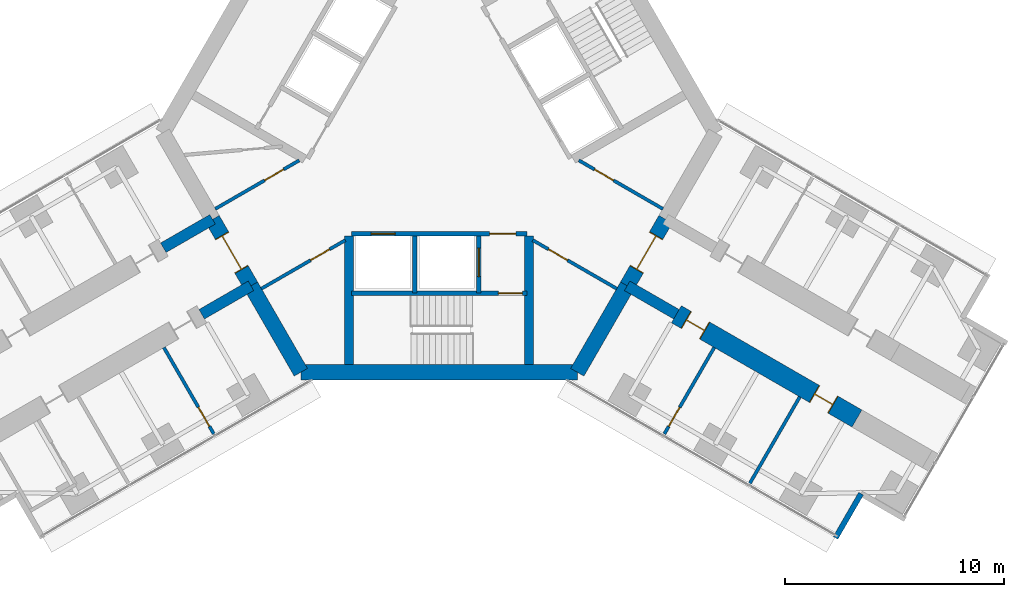
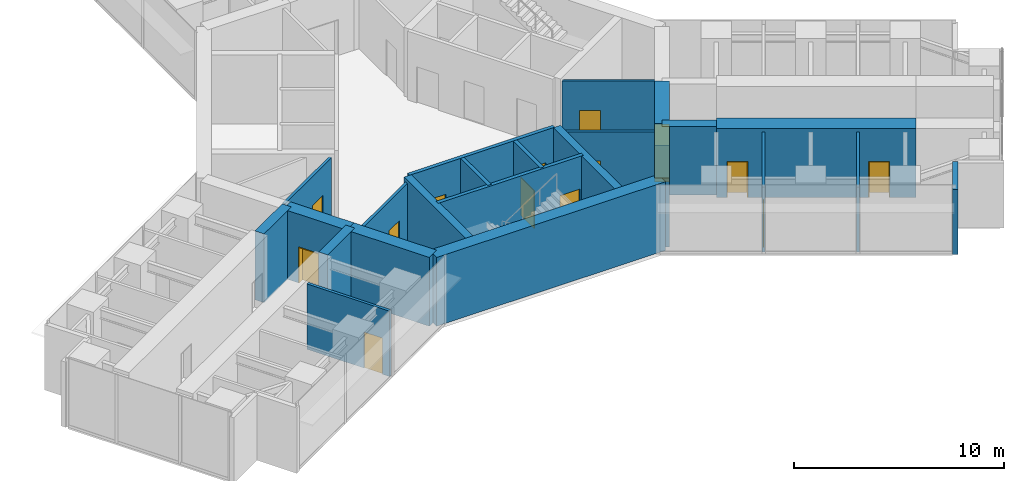
# One storey, part 20 of 24: 23 walls, 14 doors, 14 openings.
"""IFC4 building model written with IfcOpenShell, lengths in metres."""

from ifc_helpers import new_model, si_unit, direction, frame, frame_2d, origin, place, context, subcontext, project, spatial, rectangle, extrude, material, layer, layer_set, type_object, element, fill, save


model = new_model("IFC4")

# Units and contexts
model_context = context("Model", 3, precision=1e-05, world=origin(), true_north=direction((0.0, 1.0)))
body_context = subcontext(model_context, "Body", "Model", "MODEL_VIEW")
ifc_project = project(units=[si_unit("LENGTHUNIT", "METRE"), si_unit("AREAUNIT", "SQUARE_METRE"), si_unit("VOLUMEUNIT", "CUBIC_METRE"), si_unit("PLANEANGLEUNIT", "RADIAN"), si_unit("MASSUNIT", "GRAM", prefix="KILO")], contexts=[model_context])

# Site, building, storey
site_placement = place(None, origin())
site = spatial("IfcSite", under=ifc_project, at=site_placement, CompositionType="ELEMENT")
building_placement = place(site_placement, origin())
building = spatial("IfcBuilding", under=site, at=building_placement, Name="Upepo Twin Towers", CompositionType="ELEMENT")
storey_placement = place(building_placement, frame((0.0, 0.0, 60.5)))
storey = spatial("IfcBuildingStorey", under=building, at=storey_placement, Name="L14", CompositionType="ELEMENT", Elevation=60.5)

# Walls
ifc_material_1 = material(Name="Concrete C60/75", Category="concrete")
ifc_layer_1 = layer(ifc_material_1, 0.5)
ifc_layer_set_1 = layer_set([ifc_layer_1], Name="Concrete C60/75")
wall_type_1 = type_object("IfcWallType", Name="Buttress wall 500 RC", PredefinedType="SHEAR", material=ifc_layer_set_1)
for number, where, z_axis, x_axis, name in (
    (1, (49.92822265625, -24.9697265625, 0.0), (0.0, 0.0, 1.0), (-0.866031863473, -0.499988811324, 0.0), "T2 wing B buttress wall L"),
    (2, (48.17822265625, -21.938720703125, 0.0), (0.0, 0.0, 1.0), (-0.866072649678, -0.499918158782, 0.0), "T2 wing B buttress wall R"),
    (3, (67.07177734375, -24.9697265625, 0.0), (0.0, 0.0, 1.0), (0.866031863473, -0.499988811324, 0.0), "T2 wing C buttress wall R"),
):
    element("IfcWall", number, at=place(storey_placement, frame(where, z_axis=z_axis, x_axis=x_axis)), inside=storey, type_object=wall_type_1, Name=name, PredefinedType="SHEAR", context=body_context, shape_type="SweptSolid", body=[
        extrude(rectangle(XDim=2.591796875, YDim=0.5, at=frame_2d((1.2958984375, 0.0))), origin(), (0.0, 0.0, 1.0), 4.0),
    ])

# Wall, openings, doors
ifc_material_2 = material(Name="Concrete C60/75", Category="concrete")
ifc_layer_2 = layer(ifc_material_2, 0.89990234375)
ifc_layer_set_2 = layer_set([ifc_layer_2], Name="Concrete C60/75")
wall_type_2 = type_object("IfcWallType", Name="Buttress wall 900 RC", PredefinedType="SHEAR", material=ifc_layer_set_2)
wall_1_placement = place(storey_placement, frame((69.31640625, -26.265625, 0.0), z_axis=(0.0, 0.0, 1.0), x_axis=(0.86602681393, -0.499997557548, 0.0)))
wall_1 = element("IfcWall", 4, at=wall_1_placement, inside=storey, type_object=wall_type_2, Name="T2 wing C buttress wall R part 2", PredefinedType="SHEAR", context=body_context, shape_type="SweptSolid", body=[
    extrude(rectangle(XDim=9.5, YDim=0.89990234375, at=frame_2d((4.75, 0.0))), origin(), (0.0, 0.0, 1.0), 4.0),
])
opening_1_placement = place(wall_1_placement, frame((0.5, 0.0, 0.0)))
opening_1 = element("IfcOpeningElement", 5, at=opening_1_placement, cuts=wall_1, Name="Opening D1", PredefinedType="OPENING", context=body_context, shape_type="SweptSolid", body=[
    extrude(rectangle(XDim=1.0, YDim=2.10009765625, at=frame_2d((0.5, 1.050048828125))), frame((0.0, 0.4599609375, 0.0), z_axis=(0.0, -1.0, 0.0), x_axis=(1.0, 0.0, 0.0)), (0.0, 0.0, 1.0), 0.919921875),
])
opening_2_placement = place(wall_1_placement, frame((7.25, 0.0, 0.0)))
opening_2 = element("IfcOpeningElement", 6, at=opening_2_placement, cuts=wall_1, Name="Opening D1", PredefinedType="OPENING", context=body_context, shape_type="SweptSolid", body=[
    extrude(rectangle(XDim=1.0, YDim=2.10009765625, at=frame_2d((0.5, 1.050048828125))), frame((0.0, 0.4599609375, 0.0), z_axis=(0.0, -1.0, 0.0), x_axis=(1.0, 0.0, 0.0)), (0.0, 0.0, 1.0), 0.919921875),
])
ifc_material_3 = material(Name="Timber doorset", Category="wood")
door_type_1 = type_object("IfcDoorType", Name="Room door 1000 FD30", OperationType="SINGLE_SWING_LEFT", PredefinedType="DOOR", material=ifc_material_3)
door_1_placement = place(opening_1_placement, origin())
door_1 = element("IfcDoor", 7, at=door_1_placement, inside=storey, type_object=door_type_1, Name="T2 L14 staff office door", OperationType="SINGLE_SWING_LEFT", OverallHeight=2.10009765625, OverallWidth=1.0, PredefinedType="DOOR", context=body_context, shape_type="SweptSolid", body=[
    extrude(rectangle(XDim=0.92, YDim=2.06009765625, at=frame_2d((0.5, 1.030029296875))), frame((0.0, 0.02490234375, 0.0), z_axis=(0.0, -1.0, 0.0), x_axis=(1.0, 0.0, 0.0)), (0.0, 0.0, 1.0), 0.050048828125),
    extrude(rectangle(XDim=0.04, YDim=2.10009765625, at=frame_2d((0.02001953125, 1.050048828125))), frame((0.0, 0.44970703125, 0.0), z_axis=(0.0, -1.0, 0.0), x_axis=(1.0, 0.0, 0.0)), (0.0, 0.0, 1.0), 0.8994140625),
    extrude(rectangle(XDim=0.04, YDim=2.10009765625, at=frame_2d((0.97998046875, 1.050048828125))), frame((0.0, 0.44970703125, 0.0), z_axis=(0.0, -1.0, 0.0), x_axis=(1.0, 0.0, 0.0)), (0.0, 0.0, 1.0), 0.8994140625),
    extrude(rectangle(XDim=0.92, YDim=0.04, at=frame_2d((0.5, 2.080078125))), frame((0.0, 0.44970703125, 0.0), z_axis=(0.0, -1.0, 0.0), x_axis=(1.0, 0.0, 0.0)), (0.0, 0.0, 1.0), 0.8994140625),
])
fill(opening_1, door_1)
door_2_placement = place(opening_2_placement, origin())
door_2 = element("IfcDoor", 8, at=door_2_placement, inside=storey, type_object=door_type_1, Name="T2 L14 tutorial room door", OperationType="SINGLE_SWING_RIGHT", OverallHeight=2.10009765625, OverallWidth=1.0, PredefinedType="DOOR", context=body_context, shape_type="SweptSolid", body=[
    extrude(rectangle(XDim=0.92, YDim=2.06009765625, at=frame_2d((0.5, 1.030029296875))), frame((0.0, 0.02490234375, 0.0), z_axis=(0.0, -1.0, 0.0), x_axis=(1.0, 0.0, 0.0)), (0.0, 0.0, 1.0), 0.050048828125),
    extrude(rectangle(XDim=0.04, YDim=2.10009765625, at=frame_2d((0.02001953125, 1.050048828125))), frame((0.0, 0.44970703125, 0.0), z_axis=(0.0, -1.0, 0.0), x_axis=(1.0, 0.0, 0.0)), (0.0, 0.0, 1.0), 0.8994140625),
    extrude(rectangle(XDim=0.04, YDim=2.10009765625, at=frame_2d((0.97998046875, 1.050048828125))), frame((0.0, 0.44970703125, 0.0), z_axis=(0.0, -1.0, 0.0), x_axis=(1.0, 0.0, 0.0)), (0.0, 0.0, 1.0), 0.8994140625),
    extrude(rectangle(XDim=0.92, YDim=0.04, at=frame_2d((0.5, 2.080078125))), frame((0.0, 0.44970703125, 0.0), z_axis=(0.0, -1.0, 0.0), x_axis=(1.0, 0.0, 0.0)), (0.0, 0.0, 1.0), 0.8994140625),
])
fill(opening_2, door_2)

# Wall, opening, door
ifc_material_4 = material(Name="Concrete C60/75", Category="concrete")
ifc_layer_3 = layer(ifc_material_4, 0.699951171875)
ifc_layer_set_3 = layer_set([ifc_layer_3], Name="Concrete C60/75")
wall_type_3 = type_object("IfcWallType", Name="Core wall 700 RC", PredefinedType="SHEAR", material=ifc_layer_set_3)
wall_2_placement = place(storey_placement, frame((48.17822265625, -21.938720703125, 0.0), z_axis=(0.0, 0.0, 1.0), x_axis=(0.500010275428, -0.866019471182, 0.0)))
wall_2 = element("IfcWall", 9, at=wall_2_placement, inside=storey, type_object=wall_type_3, Name="T2 core wall 120", PredefinedType="SHEAR", context=body_context, shape_type="SweptSolid", body=[
    extrude(rectangle(XDim=3.5, YDim=0.699951171875, at=frame_2d((1.75, 0.0))), origin(), (0.0, 0.0, 1.0), 4.0),
])
opening_3_placement = place(wall_2_placement, frame((0.85009765625, 0.0, 0.0)))
opening_3 = element("IfcOpeningElement", 10, at=opening_3_placement, cuts=wall_2, Name="Opening D2", PredefinedType="OPENING", context=body_context, shape_type="SweptSolid", body=[
    extrude(rectangle(XDim=1.800048828125, YDim=2.10009765625, at=frame_2d((0.89990234375, 1.050048828125))), frame((0.0, 0.35986328125, 0.0), z_axis=(0.0, -1.0, 0.0), x_axis=(1.0, 0.0, 0.0)), (0.0, 0.0, 1.0), 0.719970703125),
])
ifc_material_5 = material(Name="Timber doorset", Category="wood")
door_type_2 = type_object("IfcDoorType", Name="Corridor double door 1800 FD60", OperationType="DOUBLE_DOOR_DOUBLE_SWING", PredefinedType="DOOR", material=ifc_material_5)
door_3_placement = place(opening_3_placement, origin())
door_3 = element("IfcDoor", 11, at=door_3_placement, inside=storey, type_object=door_type_2, Name="T2 L14 wing B corridor door", OperationType="DOUBLE_DOOR_DOUBLE_SWING", OverallHeight=2.10009765625, OverallWidth=1.800048828125, PredefinedType="DOOR", context=body_context, shape_type="SweptSolid", body=[
    extrude(rectangle(XDim=1.720048828125, YDim=2.06009765625, at=frame_2d((0.89990234375, 1.030029296875))), frame((0.0, 0.02490234375, 0.0), z_axis=(0.0, -1.0, 0.0), x_axis=(1.0, 0.0, 0.0)), (0.0, 0.0, 1.0), 0.050048828125),
    extrude(rectangle(XDim=0.04, YDim=2.10009765625, at=frame_2d((0.02001953125, 1.050048828125))), frame((0.0, 0.349609375, 0.0), z_axis=(0.0, -1.0, 0.0), x_axis=(1.0, 0.0, 0.0)), (0.0, 0.0, 1.0), 0.699462890625),
    extrude(rectangle(XDim=0.04, YDim=2.10009765625, at=frame_2d((1.780029296875, 1.050048828125))), frame((0.0, 0.349609375, 0.0), z_axis=(0.0, -1.0, 0.0), x_axis=(1.0, 0.0, 0.0)), (0.0, 0.0, 1.0), 0.699462890625),
    extrude(rectangle(XDim=1.720048828125, YDim=0.04, at=frame_2d((0.89990234375, 2.080078125))), frame((0.0, 0.349609375, 0.0), z_axis=(0.0, -1.0, 0.0), x_axis=(1.0, 0.0, 0.0)), (0.0, 0.0, 1.0), 0.699462890625),
])
fill(opening_3, door_3)

# Walls
wall_3_placement = place(storey_placement, frame((49.92822265625, -24.9697265625, 0.0), z_axis=(0.0, 0.0, 1.0), x_axis=(0.499984222037, -0.866034513004, 0.0)))
element("IfcWall", 12, at=wall_3_placement, inside=storey, type_object=wall_type_3, Name="T2 core wall 120 L", PredefinedType="SHEAR", context=body_context, shape_type="SweptSolid", body=[
    extrude(rectangle(XDim=4.548095703125, YDim=0.699951171875, at=frame_2d((2.27392578125, 0.0))), origin(), (0.0, 0.0, 1.0), 4.0),
])
wall_4_placement = place(storey_placement, frame((52.2021484375, -28.908447265625, 0.0), z_axis=(0.0, 0.0, 1.0), x_axis=(1.0, 0.0, 0.0)))
element("IfcWall", 13, at=wall_4_placement, inside=storey, type_object=wall_type_3, Name="T2 core wall 180", PredefinedType="SHEAR", context=body_context, shape_type="SweptSolid", body=[
    extrude(rectangle(XDim=12.595703125, YDim=0.699951171875, at=frame_2d((6.2978515625, 0.0))), origin(), (0.0, 0.0, 1.0), 4.0),
])
wall_5_placement = place(storey_placement, frame((64.7978515625, -28.908447265625, 0.0), z_axis=(0.0, 0.0, 1.0), x_axis=(0.499984222037, 0.866034513004, 0.0)))
element("IfcWall", 14, at=wall_5_placement, inside=storey, type_object=wall_type_3, Name="T2 core wall 240 R", PredefinedType="SHEAR", context=body_context, shape_type="SweptSolid", body=[
    extrude(rectangle(XDim=4.548095703125, YDim=0.699951171875, at=frame_2d((2.27392578125, 0.0))), origin(), (0.0, 0.0, 1.0), 4.0),
])

# Wall, opening, door
wall_6_placement = place(storey_placement, frame((67.07177734375, -24.9697265625, 0.0), z_axis=(0.0, 0.0, 1.0), x_axis=(0.500010275428, 0.866019471182, 0.0)))
wall_6 = element("IfcWall", 15, at=wall_6_placement, inside=storey, type_object=wall_type_3, Name="T2 core wall 240", PredefinedType="SHEAR", context=body_context, shape_type="SweptSolid", body=[
    extrude(rectangle(XDim=3.5, YDim=0.699951171875, at=frame_2d((1.75, 0.0))), origin(), (0.0, 0.0, 1.0), 4.0),
])
opening_4_placement = place(wall_6_placement, frame((0.85009765625, 0.0, 0.0)))
opening_4 = element("IfcOpeningElement", 16, at=opening_4_placement, cuts=wall_6, Name="Opening D2", PredefinedType="OPENING", context=body_context, shape_type="SweptSolid", body=[
    extrude(rectangle(XDim=1.800048828125, YDim=2.10009765625, at=frame_2d((0.89990234375, 1.050048828125))), frame((0.0, 0.35986328125, 0.0), z_axis=(0.0, -1.0, 0.0), x_axis=(1.0, 0.0, 0.0)), (0.0, 0.0, 1.0), 0.719970703125),
])
door_4_placement = place(opening_4_placement, origin())
door_4 = element("IfcDoor", 17, at=door_4_placement, inside=storey, type_object=door_type_2, Name="T2 L14 wing C corridor door", OperationType="DOUBLE_DOOR_DOUBLE_SWING", OverallHeight=2.10009765625, OverallWidth=1.800048828125, PredefinedType="DOOR", context=body_context, shape_type="SweptSolid", body=[
    extrude(rectangle(XDim=1.720048828125, YDim=2.06009765625, at=frame_2d((0.89990234375, 1.030029296875))), frame((0.0, 0.02490234375, 0.0), z_axis=(0.0, -1.0, 0.0), x_axis=(1.0, 0.0, 0.0)), (0.0, 0.0, 1.0), 0.050048828125),
    extrude(rectangle(XDim=0.04, YDim=2.10009765625, at=frame_2d((0.02001953125, 1.050048828125))), frame((0.0, 0.349609375, 0.0), z_axis=(0.0, -1.0, 0.0), x_axis=(1.0, 0.0, 0.0)), (0.0, 0.0, 1.0), 0.699462890625),
    extrude(rectangle(XDim=0.04, YDim=2.10009765625, at=frame_2d((1.780029296875, 1.050048828125))), frame((0.0, 0.349609375, 0.0), z_axis=(0.0, -1.0, 0.0), x_axis=(1.0, 0.0, 0.0)), (0.0, 0.0, 1.0), 0.699462890625),
    extrude(rectangle(XDim=1.720048828125, YDim=0.04, at=frame_2d((0.89990234375, 2.080078125))), frame((0.0, 0.349609375, 0.0), z_axis=(0.0, -1.0, 0.0), x_axis=(1.0, 0.0, 0.0)), (0.0, 0.0, 1.0), 0.699462890625),
])
fill(opening_4, door_4)

# Wall
ifc_material_6 = material(Name="Blockwork with anodised aluminium cladding", Category="masonry")
ifc_layer_4 = layer(ifc_material_6, 0.25)
ifc_layer_set_4 = layer_set([ifc_layer_4], Name="Notch cladding wall 250, pale metal")
wall_type_4 = type_object("IfcWallType", Name="Notch cladding wall 250, pale metal", PredefinedType="STANDARD", material=ifc_layer_set_4)
wall_7_placement = place(storey_placement, frame((76.5673828125, -36.456298828125, 0.0), z_axis=(0.0, 0.0, 1.0), x_axis=(0.500046648681, 0.865998469481, 0.0)))
element("IfcWall", 18, at=wall_7_placement, inside=storey, type_object=wall_type_4, Name="T2 L14 wing C notch wall R1", PredefinedType="STANDARD", context=body_context, shape_type="SweptSolid", body=[
    extrude(rectangle(XDim=2.324951171875, YDim=0.25, at=frame_2d((1.16259765625, 0.0))), origin(), (0.0, 0.0, 1.0), 3.800048828125),
])

# Wall, openings, doors
ifc_material_7 = material(Name="Concrete C40/50", Category="concrete")
ifc_layer_5 = layer(ifc_material_7, 0.199951171875)
ifc_layer_set_5 = layer_set([ifc_layer_5], Name="Concrete C40/50")
wall_type_5 = type_object("IfcWallType", Name="Shaft wall 200 RC", PredefinedType="SHEAR", material=ifc_layer_set_5)
wall_8_placement = place(storey_placement, frame((54.5, -22.60009765625, 0.0), z_axis=(0.0, 0.0, 1.0), x_axis=(1.0, 0.0, 0.0)))
wall_8 = element("IfcWall", 19, at=wall_8_placement, inside=storey, type_object=wall_type_5, Name="T2 core W180 front wall", PredefinedType="SHEAR", context=body_context, shape_type="SweptSolid", body=[
    extrude(rectangle(XDim=8.0, YDim=0.199951171875, at=frame_2d((4.0, 0.0))), origin(), (0.0, 0.0, 1.0), 4.0),
])
opening_5_placement = place(wall_8_placement, frame((6.300048828125, 0.0, 0.0)))
opening_5 = element("IfcOpeningElement", 20, at=opening_5_placement, cuts=wall_8, Name="Opening D4", PredefinedType="OPENING", context=body_context, shape_type="SweptSolid", body=[
    extrude(rectangle(XDim=1.199951171875, YDim=2.10009765625, at=frame_2d((0.60009765625, 1.050048828125))), frame((0.0, 0.10986328125, 0.0), z_axis=(0.0, -1.0, 0.0), x_axis=(1.0, 0.0, 0.0)), (0.0, 0.0, 1.0), 0.219970703125),
])
opening_6_placement = place(wall_8_placement, frame((0.89990234375, 0.0, 0.0)))
opening_6 = element("IfcOpeningElement", 21, at=opening_6_placement, cuts=wall_8, Name="Opening LD1", PredefinedType="OPENING", context=body_context, shape_type="SweptSolid", body=[
    extrude(rectangle(XDim=1.10009765625, YDim=2.199951171875, at=frame_2d((0.550048828125, 1.10009765625))), frame((0.0, 0.10986328125, 0.0), z_axis=(0.0, -1.0, 0.0), x_axis=(1.0, 0.0, 0.0)), (0.0, 0.0, 1.0), 0.219970703125),
])
ifc_material_8 = material(Name="Steel doorset", Category="steel")
door_type_3 = type_object("IfcDoorType", Name="Lift landing door 1100", OperationType="DOUBLE_DOOR_SLIDING", PredefinedType="DOOR", material=ifc_material_8)
door_5_placement = place(opening_6_placement, origin())
door_5 = element("IfcDoor", 22, at=door_5_placement, inside=storey, type_object=door_type_3, Name="T2 L14 lift SV1 landing door", OperationType="DOUBLE_DOOR_SLIDING", OverallHeight=2.199951171875, OverallWidth=1.10009765625, PredefinedType="DOOR", context=body_context, shape_type="SweptSolid", body=[
    extrude(rectangle(XDim=1.10009765625, YDim=2.199951171875, at=frame_2d((0.550048828125, 1.10009765625))), frame((0.0, 0.02490234375, 0.0), z_axis=(0.0, -1.0, 0.0), x_axis=(1.0, 0.0, 0.0)), (0.0, 0.0, 1.0), 0.050048828125),
])
fill(opening_6, door_5)
ifc_material_9 = material(Name="Timber doorset", Category="wood")
door_type_4 = type_object("IfcDoorType", Name="Lobby door 1200 FD60", OperationType="SINGLE_SWING_LEFT", PredefinedType="DOOR", material=ifc_material_9)
door_6_placement = place(opening_5_placement, origin())
door_6 = element("IfcDoor", 23, at=door_6_placement, inside=storey, type_object=door_type_4, Name="T2 L14 W180 lobby door", OperationType="SINGLE_SWING_RIGHT", OverallHeight=2.10009765625, OverallWidth=1.199951171875, PredefinedType="DOOR", context=body_context, shape_type="SweptSolid", body=[
    extrude(rectangle(XDim=1.199951171875, YDim=2.10009765625, at=frame_2d((0.60009765625, 1.050048828125))), frame((0.0, 0.02490234375, 0.0), z_axis=(0.0, -1.0, 0.0), x_axis=(1.0, 0.0, 0.0)), (0.0, 0.0, 1.0), 0.050048828125),
])
fill(opening_5, door_6)

# Wall
wall_9_placement = place(storey_placement, frame((57.39990234375, -22.699951171875, 0.0), z_axis=(0.0, 0.0, 1.0), x_axis=(0.0, -1.0, 0.0)))
element("IfcWall", 24, at=wall_9_placement, inside=storey, type_object=wall_type_5, Name="T2 core W180 shaft divider", PredefinedType="SHEAR", context=body_context, shape_type="SweptSolid", body=[
    extrude(rectangle(XDim=2.60009765625, YDim=0.199951171875, at=frame_2d((1.300048828125, 0.0))), origin(), (0.0, 0.0, 1.0), 4.0),
])

# Wall, opening, door
wall_10_placement = place(storey_placement, frame((60.300048828125, -22.699951171875, 0.0), z_axis=(0.0, 0.0, 1.0), x_axis=(0.0, -1.0, 0.0)))
wall_10 = element("IfcWall", 25, at=wall_10_placement, inside=storey, type_object=wall_type_5, Name="T2 core W180 lobby wall", PredefinedType="SHEAR", context=body_context, shape_type="SweptSolid", body=[
    extrude(rectangle(XDim=2.60009765625, YDim=0.199951171875, at=frame_2d((1.300048828125, 0.0))), origin(), (0.0, 0.0, 1.0), 4.0),
])
opening_7_placement = place(wall_10_placement, frame((0.550048828125, 0.0, 0.0)))
opening_7 = element("IfcOpeningElement", 26, at=opening_7_placement, cuts=wall_10, Name="Opening LD2", PredefinedType="OPENING", context=body_context, shape_type="SweptSolid", body=[
    extrude(rectangle(XDim=1.300048828125, YDim=2.199951171875, at=frame_2d((0.64990234375, 1.10009765625))), frame((0.0, 0.10986328125, 0.0), z_axis=(0.0, -1.0, 0.0), x_axis=(1.0, 0.0, 0.0)), (0.0, 0.0, 1.0), 0.219970703125),
])
ifc_material_10 = material(Name="Steel doorset", Category="steel")
door_type_5 = type_object("IfcDoorType", Name="Firefighting lift landing door 1300", OperationType="DOUBLE_DOOR_SLIDING", PredefinedType="DOOR", material=ifc_material_10)
door_7_placement = place(opening_7_placement, origin())
door_7 = element("IfcDoor", 27, at=door_7_placement, inside=storey, type_object=door_type_5, Name="T2 L14 firefighting lift landing door", OperationType="DOUBLE_DOOR_SLIDING", OverallHeight=2.199951171875, OverallWidth=1.300048828125, PredefinedType="DOOR", context=body_context, shape_type="SweptSolid", body=[
    extrude(rectangle(XDim=1.300048828125, YDim=2.199951171875, at=frame_2d((0.64990234375, 1.10009765625))), frame((0.0, 0.02490234375, 0.0), z_axis=(0.0, -1.0, 0.0), x_axis=(1.0, 0.0, 0.0)), (0.0, 0.0, 1.0), 0.050048828125),
])
fill(opening_7, door_7)

wall_11_placement = place(storey_placement, frame((54.5, -25.300048828125, 0.0), z_axis=(0.0, 0.0, 1.0), x_axis=(1.0, 0.0, 0.0)))
wall_11 = element("IfcWall", 28, at=wall_11_placement, inside=storey, type_object=wall_type_5, Name="T2 core W180 stair wall", PredefinedType="SHEAR", context=body_context, shape_type="SweptSolid", body=[
    extrude(rectangle(XDim=8.0, YDim=0.199951171875, at=frame_2d((4.0, 0.0))), origin(), (0.0, 0.0, 1.0), 4.0),
])
opening_8_placement = place(wall_11_placement, frame((6.699951171875, 0.0, 0.0)))
opening_8 = element("IfcOpeningElement", 29, at=opening_8_placement, cuts=wall_11, Name="Opening D3", PredefinedType="OPENING", context=body_context, shape_type="SweptSolid", body=[
    extrude(rectangle(XDim=1.10009765625, YDim=2.10009765625, at=frame_2d((0.550048828125, 1.050048828125))), frame((0.0, 0.10986328125, 0.0), z_axis=(0.0, -1.0, 0.0), x_axis=(1.0, 0.0, 0.0)), (0.0, 0.0, 1.0), 0.219970703125),
])
ifc_material_11 = material(Name="Timber doorset", Category="wood")
door_type_6 = type_object("IfcDoorType", Name="Stair door 1100 FD60", OperationType="SINGLE_SWING_LEFT", PredefinedType="DOOR", material=ifc_material_11)
door_8_placement = place(opening_8_placement, origin())
door_8 = element("IfcDoor", 30, at=door_8_placement, inside=storey, type_object=door_type_6, Name="T2 L14 stair door", OperationType="SINGLE_SWING_RIGHT", OverallHeight=2.10009765625, OverallWidth=1.10009765625, PredefinedType="DOOR", context=body_context, shape_type="SweptSolid", body=[
    extrude(rectangle(XDim=1.10009765625, YDim=2.10009765625, at=frame_2d((0.550048828125, 1.050048828125))), frame((0.0, 0.02490234375, 0.0), z_axis=(0.0, -1.0, 0.0), x_axis=(1.0, 0.0, 0.0)), (0.0, 0.0, 1.0), 0.050048828125),
])
fill(opening_8, door_8)

# Walls
ifc_material_12 = material(Name="Concrete C40/50", Category="concrete")
ifc_layer_6 = layer(ifc_material_12, 0.39990234375)
ifc_layer_set_6 = layer_set([ifc_layer_6], Name="Concrete C40/50")
wall_type_6 = type_object("IfcWallType", Name="Shaft wall 400 RC", PredefinedType="SHEAR", material=ifc_layer_set_6)
for number, where, z_axis, x_axis, name in (
    (31, (62.60009765625, -22.699951171875, 0.0), (0.0, 0.0, 1.0), (0.0, -1.0, 0.0), "T2 core W180 side wall N"),
    (32, (54.39990234375, -22.699951171875, 0.0), (0.0, 0.0, 1.0), (0.0, -1.0, 0.0), "T2 core W180 side wall S"),
):
    element("IfcWall", number, at=place(storey_placement, frame(where, z_axis=z_axis, x_axis=x_axis)), inside=storey, type_object=wall_type_6, Name=name, PredefinedType="SHEAR", context=body_context, shape_type="SweptSolid", body=[
        extrude(rectangle(XDim=5.8583984375, YDim=0.39990234375, at=frame_2d((2.92919921875, 0.0))), origin(), (0.0, 0.0, 1.0), 4.0),
    ])

# Wall, opening, door
ifc_material_13 = material(Name="Gypsum board on steel studs", Category="steel")
ifc_layer_7 = layer(ifc_material_13, 0.14990234375)
ifc_layer_set_7 = layer_set([ifc_layer_7], Name="Teaching partition 150 acoustic")
wall_type_7 = type_object("IfcWallType", Name="Teaching partition 150 acoustic", PredefinedType="PARTITIONING", material=ifc_layer_set_7)
wall_12_placement = place(storey_placement, frame((45.960205078125, -27.7802734375, 0.0), z_axis=(0.0, 0.0, 1.0), x_axis=(0.499982560684, -0.866035472144, 0.0)))
wall_12 = element("IfcWall", 33, at=wall_12_placement, inside=storey, type_object=wall_type_7, Name="T2 partition BL at 15.75", PredefinedType="PARTITIONING", context=body_context, shape_type="SweptSolid", body=[
    extrude(rectangle(XDim=4.550048828125, YDim=0.14990234375, at=frame_2d((2.27490234375, 0.0))), origin(), (0.0, 0.0, 1.0), 3.800048828125),
])
opening_9_placement = place(wall_12_placement, frame((3.14990234375, 0.0, 0.0)))
opening_9 = element("IfcOpeningElement", 34, at=opening_9_placement, cuts=wall_12, Name="Opening D1", PredefinedType="OPENING", context=body_context, shape_type="SweptSolid", body=[
    extrude(rectangle(XDim=1.0, YDim=2.10009765625, at=frame_2d((0.5, 1.050048828125))), frame((0.0, 0.0849609375, 0.0), z_axis=(0.0, -1.0, 0.0), x_axis=(1.0, 0.0, 0.0)), (0.0, 0.0, 1.0), 0.169921875),
])
door_9_placement = place(opening_9_placement, origin())
door_9 = element("IfcDoor", 35, at=door_9_placement, inside=storey, type_object=door_type_1, Name="T2 L14 connecting door", OperationType="SINGLE_SWING_RIGHT", OverallHeight=2.10009765625, OverallWidth=1.0, PredefinedType="DOOR", context=body_context, shape_type="SweptSolid", body=[
    extrude(rectangle(XDim=1.0, YDim=2.10009765625, at=frame_2d((0.5, 1.050048828125))), frame((0.0, 0.02490234375, 0.0), z_axis=(0.0, -1.0, 0.0), x_axis=(1.0, 0.0, 0.0)), (0.0, 0.0, 1.0), 0.050048828125),
])
fill(opening_9, door_9)

wall_13_placement = place(storey_placement, frame((71.039794921875, -27.7802734375, 0.0), z_axis=(0.0, 0.0, 1.0), x_axis=(-0.499982560684, -0.866035472144, 0.0)))
wall_13 = element("IfcWall", 36, at=wall_13_placement, inside=storey, type_object=wall_type_7, Name="T2 partition CR at 15.75", PredefinedType="PARTITIONING", context=body_context, shape_type="SweptSolid", body=[
    extrude(rectangle(XDim=4.550048828125, YDim=0.14990234375, at=frame_2d((2.27490234375, 0.0))), origin(), (0.0, 0.0, 1.0), 3.800048828125),
])
opening_10_placement = place(wall_13_placement, frame((3.14990234375, 0.0, 0.0)))
opening_10 = element("IfcOpeningElement", 37, at=opening_10_placement, cuts=wall_13, Name="Opening D1", PredefinedType="OPENING", context=body_context, shape_type="SweptSolid", body=[
    extrude(rectangle(XDim=1.0, YDim=2.10009765625, at=frame_2d((0.5, 1.050048828125))), frame((0.0, 0.0849609375, 0.0), z_axis=(0.0, -1.0, 0.0), x_axis=(1.0, 0.0, 0.0)), (0.0, 0.0, 1.0), 0.169921875),
])
door_10_placement = place(opening_10_placement, origin())
door_10 = element("IfcDoor", 38, at=door_10_placement, inside=storey, type_object=door_type_1, Name="T2 L14 connecting door", OperationType="SINGLE_SWING_RIGHT", OverallHeight=2.10009765625, OverallWidth=1.0, PredefinedType="DOOR", context=body_context, shape_type="SweptSolid", body=[
    extrude(rectangle(XDim=1.0, YDim=2.10009765625, at=frame_2d((0.5, 1.050048828125))), frame((0.0, 0.02490234375, 0.0), z_axis=(0.0, -1.0, 0.0), x_axis=(1.0, 0.0, 0.0)), (0.0, 0.0, 1.0), 0.050048828125),
])
fill(opening_10, door_10)

# Wall
wall_14_placement = place(storey_placement, frame((74.93701171875, -30.0302734375, 0.0), z_axis=(0.0, 0.0, 1.0), x_axis=(-0.499982560684, -0.866035472144, 0.0)))
element("IfcWall", 39, at=wall_14_placement, inside=storey, type_object=wall_type_7, Name="T2 partition CR at 20.25", PredefinedType="PARTITIONING", context=body_context, shape_type="SweptSolid", body=[
    extrude(rectangle(XDim=4.550048828125, YDim=0.14990234375, at=frame_2d((2.27490234375, 0.0))), origin(), (0.0, 0.0, 1.0), 3.800048828125),
])

# Wall, opening, door
wall_15_placement = place(storey_placement, frame((48.297607421875, -21.465576171875, 0.0), z_axis=(0.0, 0.0, 1.0), x_axis=(0.866021148949, 0.500007369519, 0.0)))
wall_15 = element("IfcWall", 40, at=wall_15_placement, inside=storey, type_object=wall_type_7, Name="T2 core room partition 1", PredefinedType="PARTITIONING", context=body_context, shape_type="SweptSolid", body=[
    extrude(rectangle(XDim=4.42578125, YDim=0.14990234375, at=frame_2d((2.212890625, 0.0))), origin(), (0.0, 0.0, 1.0), 3.800048828125),
])
opening_11_placement = place(wall_15_placement, frame((2.597900390625, 0.0, 0.0)))
opening_11 = element("IfcOpeningElement", 41, at=opening_11_placement, cuts=wall_15, Name="Opening D1", PredefinedType="OPENING", context=body_context, shape_type="SweptSolid", body=[
    extrude(rectangle(XDim=1.0, YDim=2.10009765625, at=frame_2d((0.5, 1.050048828125))), frame((0.0, 0.0849609375, 0.0), z_axis=(0.0, -1.0, 0.0), x_axis=(1.0, 0.0, 0.0)), (0.0, 0.0, 1.0), 0.169921875),
])
door_11_placement = place(opening_11_placement, origin())
door_11 = element("IfcDoor", 42, at=door_11_placement, inside=storey, type_object=door_type_1, Name="T2 L14 core room door K2", OperationType="SINGLE_SWING_RIGHT", OverallHeight=2.10009765625, OverallWidth=1.0, PredefinedType="DOOR", context=body_context, shape_type="SweptSolid", body=[
    extrude(rectangle(XDim=1.0, YDim=2.10009765625, at=frame_2d((0.5, 1.050048828125))), frame((0.0, 0.02490234375, 0.0), z_axis=(0.0, -1.0, 0.0), x_axis=(1.0, 0.0, 0.0)), (0.0, 0.0, 1.0), 0.050048828125),
])
fill(opening_11, door_11)

wall_16_placement = place(storey_placement, frame((64.86962890625, -19.252685546875, 0.0), z_axis=(0.0, 0.0, 1.0), x_axis=(0.866021148949, -0.500007369519, 0.0)))
wall_16 = element("IfcWall", 43, at=wall_16_placement, inside=storey, type_object=wall_type_7, Name="T2 core room partition 4", PredefinedType="PARTITIONING", context=body_context, shape_type="SweptSolid", body=[
    extrude(rectangle(XDim=4.42578125, YDim=0.14990234375, at=frame_2d((2.212890625, 0.0))), origin(), (0.0, 0.0, 1.0), 3.800048828125),
])
opening_12_placement = place(wall_16_placement, frame((0.82763671875, 0.0, 0.0)))
opening_12 = element("IfcOpeningElement", 44, at=opening_12_placement, cuts=wall_16, Name="Opening D1", PredefinedType="OPENING", context=body_context, shape_type="SweptSolid", body=[
    extrude(rectangle(XDim=1.0, YDim=2.10009765625, at=frame_2d((0.5, 1.050048828125))), frame((0.0, 0.0849609375, 0.0), z_axis=(0.0, -1.0, 0.0), x_axis=(1.0, 0.0, 0.0)), (0.0, 0.0, 1.0), 0.169921875),
])
door_12_placement = place(opening_12_placement, origin())
door_12 = element("IfcDoor", 45, at=door_12_placement, inside=storey, type_object=door_type_1, Name="T2 L14 core room door K5", OperationType="SINGLE_SWING_LEFT", OverallHeight=2.10009765625, OverallWidth=1.0, PredefinedType="DOOR", context=body_context, shape_type="SweptSolid", body=[
    extrude(rectangle(XDim=1.0, YDim=2.10009765625, at=frame_2d((0.5, 1.050048828125))), frame((0.0, 0.02490234375, 0.0), z_axis=(0.0, -1.0, 0.0), x_axis=(1.0, 0.0, 0.0)), (0.0, 0.0, 1.0), 0.050048828125),
])
fill(opening_12, door_12)

wall_17_placement = place(storey_placement, frame((66.6025390625, -25.102783203125, 0.0), z_axis=(0.0, 0.0, 1.0), x_axis=(-0.866021148949, 0.500007369519, 0.0)))
wall_17 = element("IfcWall", 46, at=wall_17_placement, inside=storey, type_object=wall_type_7, Name="T2 core room partition 5", PredefinedType="PARTITIONING", context=body_context, shape_type="SweptSolid", body=[
    extrude(rectangle(XDim=4.42578125, YDim=0.14990234375, at=frame_2d((2.212890625, 0.0))), origin(), (0.0, 0.0, 1.0), 3.800048828125),
])
opening_13_placement = place(wall_17_placement, frame((2.597900390625, 0.0, 0.0)))
opening_13 = element("IfcOpeningElement", 47, at=opening_13_placement, cuts=wall_17, Name="Opening D1", PredefinedType="OPENING", context=body_context, shape_type="SweptSolid", body=[
    extrude(rectangle(XDim=1.0, YDim=2.10009765625, at=frame_2d((0.5, 1.050048828125))), frame((0.0, 0.0849609375, 0.0), z_axis=(0.0, -1.0, 0.0), x_axis=(1.0, 0.0, 0.0)), (0.0, 0.0, 1.0), 0.169921875),
])
door_13_placement = place(opening_13_placement, origin())
door_13 = element("IfcDoor", 48, at=door_13_placement, inside=storey, type_object=door_type_1, Name="T2 L14 core room door K4", OperationType="SINGLE_SWING_RIGHT", OverallHeight=2.10009765625, OverallWidth=1.0, PredefinedType="DOOR", context=body_context, shape_type="SweptSolid", body=[
    extrude(rectangle(XDim=1.0, YDim=2.10009765625, at=frame_2d((0.5, 1.050048828125))), frame((0.0, 0.02490234375, 0.0), z_axis=(0.0, -1.0, 0.0), x_axis=(1.0, 0.0, 0.0)), (0.0, 0.0, 1.0), 0.050048828125),
])
fill(opening_13, door_13)

wall_18_placement = place(storey_placement, frame((54.230224609375, -22.889892578125, 0.0), z_axis=(0.0, 0.0, 1.0), x_axis=(-0.866021148949, -0.500007369519, 0.0)))
wall_18 = element("IfcWall", 49, at=wall_18_placement, inside=storey, type_object=wall_type_7, Name="T2 core room partition 6", PredefinedType="PARTITIONING", context=body_context, shape_type="SweptSolid", body=[
    extrude(rectangle(XDim=4.42578125, YDim=0.14990234375, at=frame_2d((2.212890625, 0.0))), origin(), (0.0, 0.0, 1.0), 3.800048828125),
])
opening_14_placement = place(wall_18_placement, frame((0.82763671875, 0.0, 0.0)))
opening_14 = element("IfcOpeningElement", 50, at=opening_14_placement, cuts=wall_18, Name="Opening D1", PredefinedType="OPENING", context=body_context, shape_type="SweptSolid", body=[
    extrude(rectangle(XDim=1.0, YDim=2.10009765625, at=frame_2d((0.5, 1.050048828125))), frame((0.0, 0.0849609375, 0.0), z_axis=(0.0, -1.0, 0.0), x_axis=(1.0, 0.0, 0.0)), (0.0, 0.0, 1.0), 0.169921875),
])
door_14_placement = place(opening_14_placement, origin())
door_14 = element("IfcDoor", 51, at=door_14_placement, inside=storey, type_object=door_type_1, Name="T2 L14 core room door K3", OperationType="SINGLE_SWING_LEFT", OverallHeight=2.10009765625, OverallWidth=1.0, PredefinedType="DOOR", context=body_context, shape_type="SweptSolid", body=[
    extrude(rectangle(XDim=1.0, YDim=2.10009765625, at=frame_2d((0.5, 1.050048828125))), frame((0.0, 0.02490234375, 0.0), z_axis=(0.0, -1.0, 0.0), x_axis=(1.0, 0.0, 0.0)), (0.0, 0.0, 1.0), 0.050048828125),
])
fill(opening_14, door_14)

save(model, "model.ifc")
